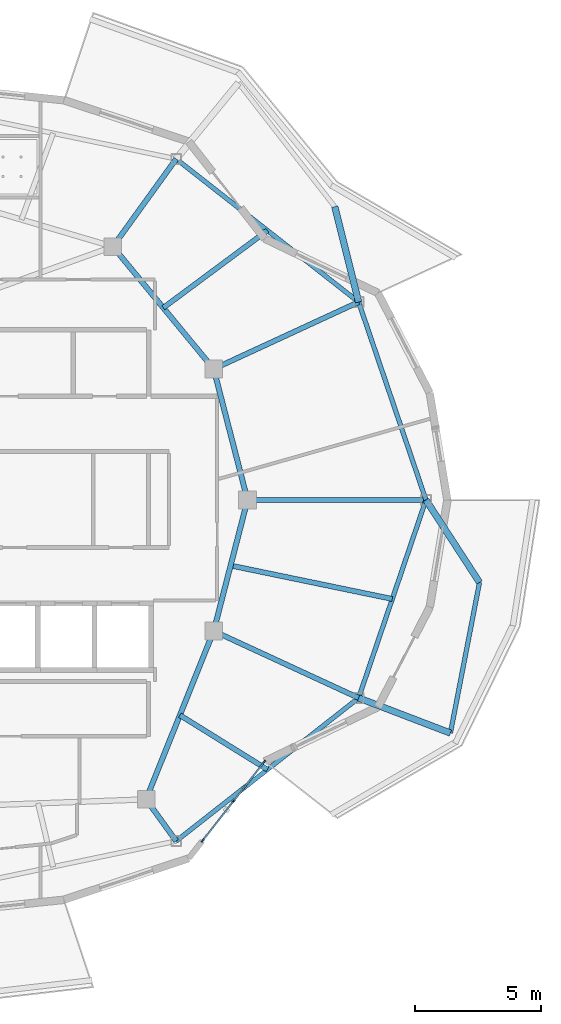
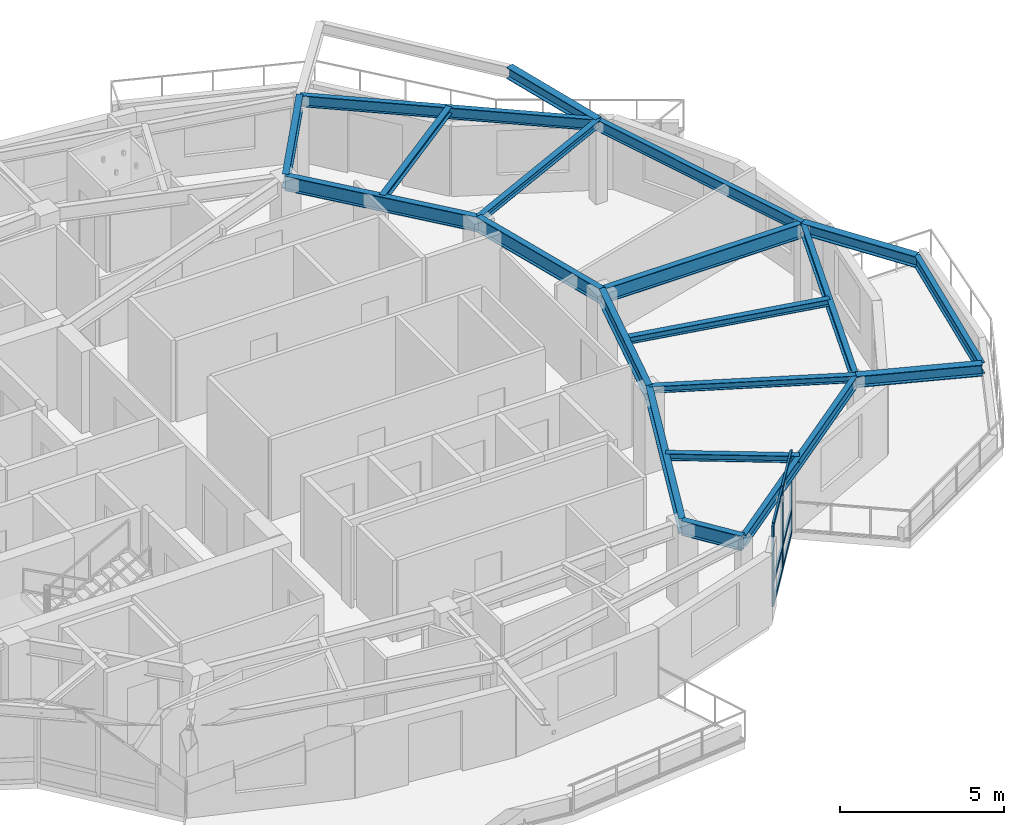
# One storey, part 5 of 15: 20 beams, 9 members, 1 element without a shape of its own.
"""IFC4 building model written with IfcOpenShell, lengths in metres."""

from ifc_helpers import new_model, si_unit, direction, frame, origin, origin_2d, place, context, subcontext, project, spatial, rectangle, i_section, extrude, material, layer, layer_set, material_profile, profile_set, type_object, element, aggregate, save


model = new_model("IFC4")

# Units and contexts
model_context = context("Model", 3, precision=1e-05, world=origin(), true_north=direction((0.0, 1.0)))
body_context = subcontext(model_context, "Body", "Model", "MODEL_VIEW")
ifc_project = project(units=[si_unit("LENGTHUNIT", "METRE"), si_unit("AREAUNIT", "SQUARE_METRE"), si_unit("VOLUMEUNIT", "CUBIC_METRE"), si_unit("PLANEANGLEUNIT", "RADIAN"), si_unit("MASSUNIT", "GRAM", prefix="KILO")], contexts=[model_context])

# Site, building, storey
site_placement = place(None, origin())
site = spatial("IfcSite", under=ifc_project, at=site_placement, CompositionType="ELEMENT")
building_placement = place(site_placement, origin())
building = spatial("IfcBuilding", under=site, at=building_placement, Name="Kolvaren Gate Tower and Convention Centre", CompositionType="ELEMENT")
storey_placement = place(building_placement, frame((0.0, 0.0, 265.699951171875)))
storey = spatial("IfcBuildingStorey", under=building, at=storey_placement, Name="L72", CompositionType="ELEMENT", Elevation=265.699951171875)

# Curtain wall, members
ifc_material_1 = material(Name="Anodized Architectural Aluminium Alloy 6063-T6", Category="aluminium")
ifc_layer = layer(ifc_material_1, 0.159912109375)
ifc_layer_set = layer_set([ifc_layer], Name="Anodized Architectural Aluminium Alloy 6063-T6")
curtain_wall_type = type_object("IfcCurtainWallType", Name="CW-RES-UNIT", PredefinedType="NOTDEFINED", material=ifc_layer_set)
curtain_wall_placement = place(storey_placement, origin())
curtain_wall = element("IfcCurtainWall", 1, at=curtain_wall_placement, inside=storey, type_object=curtain_wall_type, Name="Tower L72 Unitised Curtain Wall CW-RES-UNIT Bay 20", PredefinedType="NOTDEFINED")
ifc_material_profile_1 = material_profile(ifc_material_1, rectangle(XDim=0.06494140625, YDim=0.159912109375, at=origin_2d()), Name="CW-MEM-MUL-160")
ifc_profile_set_1 = profile_set([ifc_material_profile_1], Name="Anodized Architectural Aluminium Alloy 6063-T6")
member_type_1 = type_object("IfcMemberType", Name="CW-MEM-MUL-160", PredefinedType="MULLION", material=ifc_profile_set_1)
member_1_placement = place(storey_placement, frame((40.95068359375, 13.490966796875, 0.0), z_axis=(0.0, 0.0, 1.0), x_axis=(-0.787407693173, 0.616432579226, 0.0)))
member_1 = element("IfcMember", 2, at=member_1_placement, type_object=member_type_1, Name="CW-04 mullion 1", PredefinedType="MULLION", context=body_context, shape_type="SweptSolid", body=[
    extrude(rectangle(XDim=0.06494140625, YDim=0.159912109375, at=origin_2d()), origin(), (0.0, 0.0, 1.0), 3.030029296875),
])
member_2_placement = place(storey_placement, frame((42.167236328125, 15.044921875, 0.0), z_axis=(0.0, 0.0, 1.0), x_axis=(-0.787407693173, 0.616432579226, 0.0)))
member_2 = element("IfcMember", 3, at=member_2_placement, type_object=member_type_1, Name="CW-04 mullion 2", PredefinedType="MULLION", context=body_context, shape_type="SweptSolid", body=[
    extrude(rectangle(XDim=0.06494140625, YDim=0.159912109375, at=origin_2d()), origin(), (0.0, 0.0, 1.0), 3.030029296875),
])
member_3_placement = place(storey_placement, frame((43.3837890625, 16.59912109375, 0.0), z_axis=(0.0, 0.0, 1.0), x_axis=(-0.787407693173, 0.616432579226, 0.0)))
member_3 = element("IfcMember", 4, at=member_3_placement, type_object=member_type_1, Name="CW-04 mullion 3", PredefinedType="MULLION", context=body_context, shape_type="SweptSolid", body=[
    extrude(rectangle(XDim=0.06494140625, YDim=0.159912109375, at=origin_2d()), origin(), (0.0, 0.0, 1.0), 3.030029296875),
])
ifc_material_profile_2 = material_profile(ifc_material_1, rectangle(XDim=0.06494140625, YDim=0.159912109375, at=origin_2d()), Name="CW-MEM-TRN-160")
ifc_profile_set_2 = profile_set([ifc_material_profile_2], Name="Anodized Architectural Aluminium Alloy 6063-T6")
member_type_2 = type_object("IfcMemberType", Name="CW-MEM-TRN-160", PredefinedType="USERDEFINED", material=ifc_profile_set_2)
member_4_placement = place(storey_placement, frame((40.970703125, 13.5166015625, 0.032470703125), z_axis=(0.616470366862, 0.787378109158, 0.0), x_axis=(-0.787378109158, 0.616470366862, 0.0)))
member_4 = element("IfcMember", 5, at=member_4_placement, type_object=member_type_2, Name="CW-04 transom 1.1", ObjectType="TRANSOM", PredefinedType="USERDEFINED", context=body_context, shape_type="SweptSolid", body=[
    extrude(rectangle(XDim=0.06494140625, YDim=0.159912109375, at=origin_2d()), origin(), (0.0, 0.0, 1.0), 1.908447265625),
])
member_5_placement = place(storey_placement, frame((40.970703125, 13.5166015625, 0.85009765625), z_axis=(0.616470366862, 0.787378109158, 0.0), x_axis=(-0.787378109158, 0.616470366862, 0.0)))
member_5 = element("IfcMember", 6, at=member_5_placement, type_object=member_type_2, Name="CW-04 transom 1.2", ObjectType="TRANSOM", PredefinedType="USERDEFINED", context=body_context, shape_type="SweptSolid", body=[
    extrude(rectangle(XDim=0.06494140625, YDim=0.159912109375, at=origin_2d()), origin(), (0.0, 0.0, 1.0), 1.908447265625),
])
member_6_placement = place(storey_placement, frame((40.970703125, 13.5166015625, 2.99755859375), z_axis=(0.616470366862, 0.787378109158, 0.0), x_axis=(-0.787378109158, 0.616470366862, 0.0)))
member_6 = element("IfcMember", 7, at=member_6_placement, type_object=member_type_2, Name="CW-04 transom 1.3", ObjectType="TRANSOM", PredefinedType="USERDEFINED", context=body_context, shape_type="SweptSolid", body=[
    extrude(rectangle(XDim=0.06494140625, YDim=0.159912109375, at=origin_2d()), origin(), (0.0, 0.0, 1.0), 1.908447265625),
])
member_7_placement = place(storey_placement, frame((42.187255859375, 15.070556640625, 0.032470703125), z_axis=(0.61640827703, 0.787426717866, 0.0), x_axis=(-0.787426717866, 0.61640827703, 0.0)))
member_7 = element("IfcMember", 8, at=member_7_placement, type_object=member_type_2, Name="CW-04 transom 2.1", ObjectType="TRANSOM", PredefinedType="USERDEFINED", context=body_context, shape_type="SweptSolid", body=[
    extrude(rectangle(XDim=0.06494140625, YDim=0.159912109375, at=origin_2d()), origin(), (0.0, 0.0, 1.0), 1.90869140625),
])
member_8_placement = place(storey_placement, frame((42.187255859375, 15.070556640625, 0.85009765625), z_axis=(0.61640827703, 0.787426717866, 0.0), x_axis=(-0.787426717866, 0.61640827703, 0.0)))
member_8 = element("IfcMember", 9, at=member_8_placement, type_object=member_type_2, Name="CW-04 transom 2.2", ObjectType="TRANSOM", PredefinedType="USERDEFINED", context=body_context, shape_type="SweptSolid", body=[
    extrude(rectangle(XDim=0.06494140625, YDim=0.159912109375, at=origin_2d()), origin(), (0.0, 0.0, 1.0), 1.90869140625),
])
member_9_placement = place(storey_placement, frame((42.187255859375, 15.070556640625, 2.99755859375), z_axis=(0.61640827703, 0.787426717866, 0.0), x_axis=(-0.787426717866, 0.61640827703, 0.0)))
member_9 = element("IfcMember", 10, at=member_9_placement, type_object=member_type_2, Name="CW-04 transom 2.3", ObjectType="TRANSOM", PredefinedType="USERDEFINED", context=body_context, shape_type="SweptSolid", body=[
    extrude(rectangle(XDim=0.06494140625, YDim=0.159912109375, at=origin_2d()), origin(), (0.0, 0.0, 1.0), 1.90869140625),
])
aggregate(curtain_wall, [member_1, member_2, member_3, member_4, member_5, member_6, member_7, member_8, member_9])

# Beams
ifc_material_2 = material(Name="Structural steel ASTM A992 Grade 345 MPa", Category="steel")
ifc_material_profile_3 = material_profile(ifc_material_2, i_section(OverallWidth=0.260009765625, OverallDepth=0.419921875, WebThickness=0.013427734375, FlangeThickness=0.0224609375, at=origin_2d()), Name="W410X132")
ifc_profile_set_3 = profile_set([ifc_material_profile_3], Name="Structural steel ASTM A992 Grade 345 MPa")
beam_type_1 = type_object("IfcBeamType", Name="STR-BM-W410X132", PredefinedType="BEAM", material=ifc_profile_set_3)
for number, where, z_axis, x_axis, name in (
    (11, (47.1337890625, 34.856201171875, 2.820556640625), (-0.243021682146, 0.97002085648, 0.0), (-0.97002085648, -0.243021682146, 0.0), "Tower L73 Planted Balcony Outrigger Cantilever BC-1A"),
    (12, (47.1337890625, 19.143798828125, 2.820556640625), (0.933954141343, -0.35739286768, 0.0), (0.35739286768, 0.933954141343, 0.0), "Tower L73 Planted Balcony Outrigger Cantilever BC-4A"),
):
    element("IfcBeam", number, at=place(storey_placement, frame(where, z_axis=z_axis, x_axis=x_axis)), inside=storey, type_object=beam_type_1, Name=name, PredefinedType="BEAM", context=body_context, shape_type="SweptSolid", body=[
        extrude(i_section(OverallWidth=0.260009765625, OverallDepth=0.419921875, WebThickness=0.013427734375, FlangeThickness=0.0224609375, at=origin_2d()), origin(), (0.0, 0.0, 1.0), 3.89990234375),
    ])
beam_1_placement = place(storey_placement, frame((49.80615234375, 27.0, 2.820556640625), z_axis=(0.544794709784, -0.838569451024, 0.0), x_axis=(0.838569451024, 0.544794709784, 0.0)))
element("IfcBeam", 13, at=beam_1_placement, inside=storey, type_object=beam_type_1, Name="Tower L73 Planted Balcony Outrigger Cantilever BC-4B", PredefinedType="BEAM", context=body_context, shape_type="SweptSolid", body=[
    extrude(i_section(OverallWidth=0.260009765625, OverallDepth=0.419921875, WebThickness=0.013427734375, FlangeThickness=0.0224609375, at=origin_2d()), origin(), (0.0, 0.0, 1.0), 3.900146484375),
])
ifc_material_profile_4 = material_profile(ifc_material_2, i_section(OverallWidth=0.2119140625, OverallDepth=0.5439453125, WebThickness=0.01318359375, FlangeThickness=0.021240234375, at=origin_2d()), Name="W530X123")
ifc_profile_set_4 = profile_set([ifc_material_profile_4], Name="Structural steel ASTM A992 Grade 345 MPa")
beam_type_2 = type_object("IfcBeamType", Name="STR-BM-W530X123", PredefinedType="BEAM", material=ifc_profile_set_4)
beam_2_placement = place(storey_placement, frame((42.72509765625, 27.0, 2.758056640625), z_axis=(-0.250091133936, -0.968222301296, 0.0), x_axis=(0.968222301296, -0.250091133936, 0.0)))
element("IfcBeam", 14, at=beam_2_placement, inside=storey, type_object=beam_type_2, Name="Tower L72 Primary Ring Girder G-01", PredefinedType="BEAM", context=body_context, shape_type="SweptSolid", body=[
    extrude(i_section(OverallWidth=0.2119140625, OverallDepth=0.5439453125, WebThickness=0.01318359375, FlangeThickness=0.021240234375, at=origin_2d()), origin(), (0.0, 0.0, 1.0), 5.3701171875),
])
beam_3_placement = place(storey_placement, frame((41.382080078125, 32.199462890625, 2.758056640625), z_axis=(-0.635884066011, 0.771784590798, 0.0), x_axis=(-0.771784590798, -0.635884066011, 0.0)))
element("IfcBeam", 15, at=beam_3_placement, inside=storey, type_object=beam_type_2, Name="Tower L72 Primary Ring Girder G-02", PredefinedType="BEAM", context=body_context, shape_type="SweptSolid", body=[
    extrude(i_section(OverallWidth=0.2119140625, OverallDepth=0.5439453125, WebThickness=0.01318359375, FlangeThickness=0.021240234375, at=origin_2d()), origin(), (0.0, 0.0, 1.0), 6.291259765625),
])
beam_4_placement = place(storey_placement, frame((38.6982421875, 15.12060546875, 2.758056640625), z_axis=(0.372811100169, 0.927907260232, 0.0), x_axis=(-0.927907260232, 0.372811100169, 0.0)))
element("IfcBeam", 16, at=beam_4_placement, inside=storey, type_object=beam_type_2, Name="Tower L72 Primary Ring Girder G-09", PredefinedType="BEAM", context=body_context, shape_type="SweptSolid", body=[
    extrude(i_section(OverallWidth=0.2119140625, OverallDepth=0.5439453125, WebThickness=0.01318359375, FlangeThickness=0.021240234375, at=origin_2d()), origin(), (0.0, 0.0, 1.0), 7.198974609375),
])
beam_5_placement = place(storey_placement, frame((42.72509765625, 27.0, 2.758056640625), z_axis=(-0.250091133936, 0.968222301296, 0.0), x_axis=(-0.968222301296, -0.250091133936, 0.0)))
element("IfcBeam", 17, at=beam_5_placement, inside=storey, type_object=beam_type_2, Name="Tower L72 Primary Ring Girder G-12", PredefinedType="BEAM", context=body_context, shape_type="SweptSolid", body=[
    extrude(i_section(OverallWidth=0.2119140625, OverallDepth=0.5439453125, WebThickness=0.01318359375, FlangeThickness=0.021240234375, at=origin_2d()), origin(), (0.0, 0.0, 1.0), 5.3701171875),
])
beam_6_placement = place(storey_placement, frame((42.72509765625, 27.0, 2.758056640625), z_axis=(1.0, 0.0, 0.0), x_axis=(0.0, 1.0, 0.0)))
element("IfcBeam", 18, at=beam_6_placement, inside=storey, type_object=beam_type_2, Name="Tower L72 Radial Floor Girder RB-01", PredefinedType="BEAM", context=body_context, shape_type="SweptSolid", body=[
    extrude(i_section(OverallWidth=0.2119140625, OverallDepth=0.5439453125, WebThickness=0.01318359375, FlangeThickness=0.021240234375, at=origin_2d()), origin(), (0.0, 0.0, 1.0), 7.0810546875),
])
beam_7_placement = place(storey_placement, frame((37.381591796875, 37.054931640625, 2.758056640625), z_axis=(0.585218448818, 0.810875679228, 0.0), x_axis=(-0.810875679228, 0.585218448818, 0.0)))
element("IfcBeam", 19, at=beam_7_placement, inside=storey, type_object=beam_type_2, Name="Tower L72 Radial Floor Girder RB-03", PredefinedType="BEAM", context=body_context, shape_type="SweptSolid", body=[
    extrude(i_section(OverallWidth=0.2119140625, OverallDepth=0.5439453125, WebThickness=0.01318359375, FlangeThickness=0.021240234375, at=origin_2d()), origin(), (0.0, 0.0, 1.0), 4.2919921875),
])
beam_8_placement = place(storey_placement, frame((38.6982421875, 15.12060546875, 2.758056640625), z_axis=(0.585246071944, -0.810855742579, 0.0), x_axis=(0.810855742579, 0.585246071944, 0.0)))
element("IfcBeam", 20, at=beam_8_placement, inside=storey, type_object=beam_type_2, Name="Tower L72 Radial Floor Girder RB-11", PredefinedType="BEAM", context=body_context, shape_type="SweptSolid", body=[
    extrude(i_section(OverallWidth=0.2119140625, OverallDepth=0.5439453125, WebThickness=0.01318359375, FlangeThickness=0.021240234375, at=origin_2d()), origin(), (0.0, 0.0, 1.0), 2.0419921875),
])
ifc_material_profile_5 = material_profile(ifc_material_2, i_section(OverallWidth=0.202880859375, OverallDepth=0.251953125, WebThickness=0.008056640625, FlangeThickness=0.013427734375, at=origin_2d()), Name="W250X58")
ifc_profile_set_5 = profile_set([ifc_material_profile_5], Name="Structural steel ASTM A992 Grade 345 MPa")
beam_type_3 = type_object("IfcBeamType", Name="STR-JS-W250X58", PredefinedType="JOIST", material=ifc_profile_set_5)
for number, where, z_axis, x_axis, name in (
    (21, (41.382080078125, 32.199462890625, 2.904052734375), (0.907833025456, 0.41933184698, 0.0), (-0.41933184698, 0.907833025456, 0.0), "Tower L72 Radial Floor Girder RB-02"),
    (22, (41.382080078125, 21.800537109375, 2.904052734375), (0.907833025456, -0.41933184698, 0.0), (0.41933184698, 0.907833025456, 0.0), "Tower L72 Radial Floor Girder RB-12"),
):
    element("IfcBeam", number, at=place(storey_placement, frame(where, z_axis=z_axis, x_axis=x_axis)), inside=storey, type_object=beam_type_3, Name=name, PredefinedType="JOIST", context=body_context, shape_type="SweptSolid", body=[
        extrude(i_section(OverallWidth=0.202880859375, OverallDepth=0.251953125, WebThickness=0.008056640625, FlangeThickness=0.013427734375, at=origin_2d()), origin(), (0.0, 0.0, 1.0), 6.335693359375),
    ])
beam_9_placement = place(storey_placement, frame((39.3818359375, 34.627197265625, 2.904052734375), z_axis=(0.802797696216, 0.596251506455, 0.0), x_axis=(-0.596251506455, 0.802797696216, 0.0)))
element("IfcBeam", 23, at=beam_9_placement, inside=storey, type_object=beam_type_3, Name="Tower L72 Secondary Composite Floor Joist J-02.1", PredefinedType="JOIST", context=body_context, shape_type="SweptSolid", body=[
    extrude(i_section(OverallWidth=0.202880859375, OverallDepth=0.251953125, WebThickness=0.008056640625, FlangeThickness=0.013427734375, at=origin_2d()), origin(), (0.0, 0.0, 1.0), 5.146484375),
])
beam_10_placement = place(storey_placement, frame((40.040283203125, 18.46044921875, 2.904052734375), z_axis=(0.849584798243, -0.527452055257, 0.0), x_axis=(0.527452055257, 0.849584798243, 0.0)))
element("IfcBeam", 24, at=beam_10_placement, inside=storey, type_object=beam_type_3, Name="Tower L72 Secondary Composite Floor Joist J-11.1", PredefinedType="JOIST", context=body_context, shape_type="SweptSolid", body=[
    extrude(i_section(OverallWidth=0.202880859375, OverallDepth=0.251953125, WebThickness=0.008056640625, FlangeThickness=0.013427734375, at=origin_2d()), origin(), (0.0, 0.0, 1.0), 4.088134765625),
])
beam_11_placement = place(storey_placement, frame((42.0537109375, 24.400146484375, 2.904052734375), z_axis=(0.97924155137, -0.20269677864, 0.0), x_axis=(0.20269677864, 0.97924155137, 0.0)))
element("IfcBeam", 25, at=beam_11_placement, inside=storey, type_object=beam_type_3, Name="Tower L72 Secondary Composite Floor Joist J-12.1", PredefinedType="JOIST", context=body_context, shape_type="SweptSolid", body=[
    extrude(i_section(OverallWidth=0.202880859375, OverallDepth=0.251953125, WebThickness=0.008056640625, FlangeThickness=0.013427734375, at=origin_2d()), origin(), (0.0, 0.0, 1.0), 6.55224609375),
])
ifc_material_profile_6 = material_profile(ifc_material_2, i_section(OverallWidth=0.180908203125, OverallDepth=0.4169921875, WebThickness=0.010986328125, FlangeThickness=0.018310546875, at=origin_2d()), Name="W410X85")
ifc_profile_set_6 = profile_set([ifc_material_profile_6], Name="Structural steel ASTM A992 Grade 345 MPa")
beam_type_4 = type_object("IfcBeamType", Name="STR-SP-W410X85", PredefinedType="SPANDREL", material=ifc_profile_set_6)
beam_12_placement = place(storey_placement, frame((49.80615234375, 27.0, 2.821533203125), z_axis=(-0.322038282171, 0.946726647357, 0.0), x_axis=(-0.946726647357, -0.322038282171, 0.0)))
element("IfcBeam", 26, at=beam_12_placement, inside=storey, type_object=beam_type_4, Name="Tower L72 Perimeter Spandrel Beam SP-01", PredefinedType="SPANDREL", context=body_context, shape_type="SweptSolid", body=[
    extrude(i_section(OverallWidth=0.180908203125, OverallDepth=0.4169921875, WebThickness=0.010986328125, FlangeThickness=0.018310546875, at=origin_2d()), origin(), (0.0, 0.0, 1.0), 8.29833984375),
])
for number, where, z_axis, x_axis, name in (
    (27, (47.1337890625, 34.856201171875, 2.821533203125), (-0.786845586039, 0.61714991998, 0.0), (-0.61714991998, -0.786845586039, 0.0), "Tower L72 Perimeter Spandrel Beam SP-02"),
    (28, (39.893310546875, 13.46484375, 2.821533203125), (0.786845586039, 0.61714991998, 0.0), (-0.61714991998, 0.786845586039, 0.0), "Tower L72 Perimeter Spandrel Beam SP-11"),
):
    element("IfcBeam", number, at=place(storey_placement, frame(where, z_axis=z_axis, x_axis=x_axis)), inside=storey, type_object=beam_type_4, Name=name, PredefinedType="SPANDREL", context=body_context, shape_type="SweptSolid", body=[
        extrude(i_section(OverallWidth=0.180908203125, OverallDepth=0.4169921875, WebThickness=0.010986328125, FlangeThickness=0.018310546875, at=origin_2d()), origin(), (0.0, 0.0, 1.0), 9.201904296875),
    ])
beam_13_placement = place(storey_placement, frame((47.1337890625, 19.143798828125, 2.821533203125), z_axis=(0.322038282171, 0.946726647357, 0.0), x_axis=(-0.946726647357, 0.322038282171, 0.0)))
element("IfcBeam", 29, at=beam_13_placement, inside=storey, type_object=beam_type_4, Name="Tower L72 Perimeter Spandrel Beam SP-12", PredefinedType="SPANDREL", context=body_context, shape_type="SweptSolid", body=[
    extrude(i_section(OverallWidth=0.180908203125, OverallDepth=0.4169921875, WebThickness=0.010986328125, FlangeThickness=0.018310546875, at=origin_2d()), origin(), (0.0, 0.0, 1.0), 8.29833984375),
])
beam_14_placement = place(storey_placement, frame((50.776123046875, 17.75, 2.822021484375), z_axis=(0.189620519125, 0.981857453364, 0.0), x_axis=(-0.981857453364, 0.189620519125, 0.0)))
element("IfcBeam", 30, at=beam_14_placement, inside=storey, type_object=beam_type_4, Name="Tower L73 Planted Balcony Header Tie Beam BT-4", PredefinedType="SPANDREL", context=body_context, shape_type="SweptSolid", body=[
    extrude(i_section(OverallWidth=0.180908203125, OverallDepth=0.4169921875, WebThickness=0.010986328125, FlangeThickness=0.018310546875, at=origin_2d()), origin(), (0.0, 0.0, 1.0), 6.090087890625),
])

save(model, "model.ifc")
